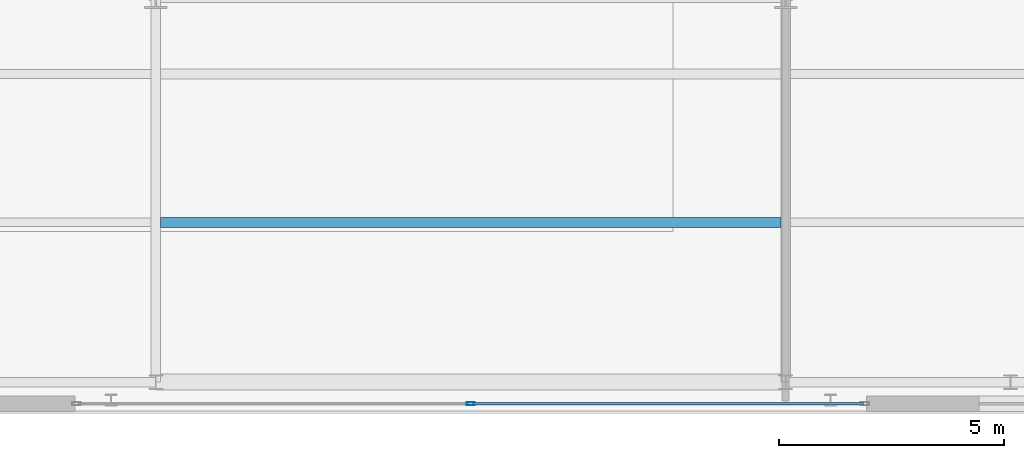
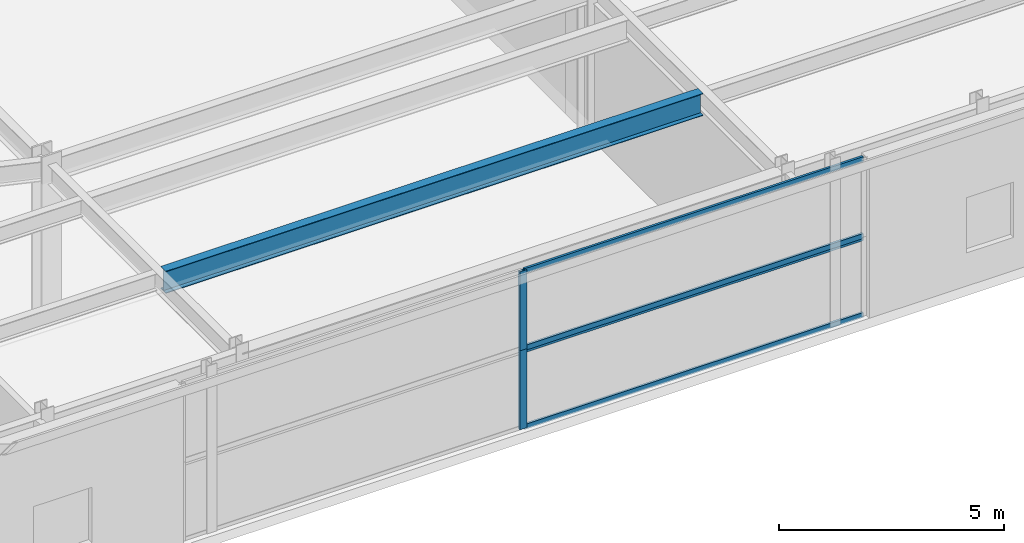
# One storey, part 12 of 26: 6 members, 1 beam, 2 elements without a shape of their own.
"""IFC4 building model written with IfcOpenShell, lengths in metres."""

from ifc_helpers import new_model, si_unit, direction, frame, origin, origin_2d, place, context, subcontext, project, spatial, hollow_rectangle, i_section, extrude, source, transform, mapped, material, layer, layer_set, material_profile, profile_set, type_object, element, aggregate, save


model = new_model("IFC4")

# Units and contexts
model_context = context("Model", 3, precision=1e-05, world=origin(), true_north=direction((0.0, 1.0)))
body_context = subcontext(model_context, "Body", "Model", "MODEL_VIEW")
ifc_project = project(units=[si_unit("LENGTHUNIT", "METRE"), si_unit("AREAUNIT", "SQUARE_METRE"), si_unit("VOLUMEUNIT", "CUBIC_METRE"), si_unit("PLANEANGLEUNIT", "RADIAN"), si_unit("MASSUNIT", "GRAM", prefix="KILO")], contexts=[model_context])

# Site, building, storey
site_placement = place(None, origin())
site = spatial("IfcSite", under=ifc_project, at=site_placement, CompositionType="ELEMENT")
building_placement = place(site_placement, origin())
building = spatial("IfcBuilding", under=site, at=building_placement, Name="Taldren Reach Tower", CompositionType="ELEMENT")
storey_placement = place(building_placement, frame((0.0, 0.0, 8.39990234375)))
storey = spatial("IfcBuildingStorey", under=building, at=storey_placement, Name="L02", CompositionType="ELEMENT", Elevation=8.39990234375)

# Beam
ifc_material_1 = material(Name="Steel Gr 350 (350PLUS)", Category="steel")
ifc_material_profile_1 = material_profile(ifc_material_1, i_section(OverallWidth=0.22802734375, OverallDepth=0.60205078125, WebThickness=0.010498046875, FlangeThickness=0.014892578125, at=origin_2d()), Name="610UB101")
ifc_profile_set_1 = profile_set([ifc_material_profile_1], Name="Steel Gr 350 (350PLUS)")
beam_type = type_object("IfcBeamType", Name="BM-UB610B", PredefinedType="BEAM", material=ifc_profile_set_1)
shared_shape_1 = source(origin(), body_context, "Body", "SweptSolid", [
    extrude(i_section(OverallWidth=0.22802734375, OverallDepth=0.60205078125, WebThickness=0.010498046875, FlangeThickness=0.014892578125, at=origin_2d()), origin(), (0.0, 0.0, 1.0), 13.791015625),
])
beam_placement = place(storey_placement, frame((28.1044921875, 4.199951171875, 3.989013671875), z_axis=(1.0, 0.0, 0.0), x_axis=(0.0, 1.0, 0.0)))
element("IfcBeam", 1, at=beam_placement, inside=storey, type_object=beam_type, Name="Podium composite floor beam L02-1.2", PredefinedType="BEAM", context=body_context, shape_type="MappedRepresentation", body=[
    mapped(shared_shape_1, transform((0.0, 0.0, 0.0), scale=1.0)),
])

# Curtain wall, member
ifc_material_2 = material(Name="Aluminium and Low-E Glass Unitised System", Category="aluminium")
ifc_layer = layer(ifc_material_2, 0.159912109375)
ifc_layer_set = layer_set([ifc_layer], Name="Aluminium and Low-E Glass Unitised System")
curtain_wall_type = type_object("IfcCurtainWallType", Name="CW-SYS-1", PredefinedType="NOTDEFINED", material=ifc_layer_set)
curtain_wall_1_placement = place(storey_placement, origin())
curtain_wall_1 = element("IfcCurtainWall", 2, at=curtain_wall_1_placement, inside=storey, type_object=curtain_wall_type, Name="Unitised curtain wall CW1-L02-S2", PredefinedType="NOTDEFINED")
ifc_material_3 = material(Name="Anodised Aluminium 6063-T6", Category="aluminium")
ifc_material_profile_2 = material_profile(ifc_material_3, hollow_rectangle(XDim=0.070068359375, YDim=0.179931640625, WallThickness=0.00390625, at=origin_2d()), Name="ALU-180x70x4RHS")
ifc_profile_set_2 = profile_set([ifc_material_profile_2], Name="Anodised Aluminium 6063-T6")
member_type_1 = type_object("IfcMemberType", Name="CW-MUL-180", PredefinedType="MULLION", material=ifc_profile_set_2)
shared_shape_2 = source(origin(), body_context, "Body", "SweptSolid", [
    extrude(hollow_rectangle(XDim=0.070068359375, YDim=0.179931640625, WallThickness=0.00390625, at=origin_2d()), origin(), (0.0, 0.0, 1.0), 2.14501953125),
])
member_1_placement = place(storey_placement, frame((35.0, 0.169921875, 0.0), z_axis=(0.0, 0.0, 1.0), x_axis=(0.0, 1.0, 0.0)))
member_1 = element("IfcMember", 3, at=member_1_placement, type_object=member_type_1, Name="CW-1 mullion 2", PredefinedType="MULLION", context=body_context, shape_type="MappedRepresentation", body=[
    mapped(shared_shape_2, transform((0.0, 0.0, 0.0), scale=1.0)),
])

curtain_wall_2_placement = place(storey_placement, origin())
curtain_wall_2 = element("IfcCurtainWall", 4, at=curtain_wall_2_placement, inside=storey, type_object=curtain_wall_type, Name="Unitised curtain wall CW1-L02-S2-T2", PredefinedType="NOTDEFINED")
member_2_placement = place(storey_placement, frame((35.0, 0.169921875, 2.14501953125), z_axis=(0.0, 0.0, 1.0), x_axis=(0.0, 1.0, 0.0)))
member_2 = element("IfcMember", 5, at=member_2_placement, type_object=member_type_1, Name="CW-1 mullion 2", PredefinedType="MULLION", context=body_context, shape_type="MappedRepresentation", body=[
    mapped(shared_shape_2, transform((0.0, 0.0, 0.0), scale=1.0)),
])

# Member
ifc_material_profile_3 = material_profile(ifc_material_3, hollow_rectangle(XDim=0.06005859375, YDim=0.135009765625, WallThickness=0.00341796875, at=origin_2d()), Name="ALU-135x60x3.5RHS")
ifc_profile_set_3 = profile_set([ifc_material_profile_3], Name="Anodised Aluminium 6063-T6")
member_type_2 = type_object("IfcMemberType", Name="CW-TRN-150", PredefinedType="USERDEFINED", material=ifc_profile_set_3)
shared_shape_3 = source(origin(), body_context, "Body", "SweptSolid", [
    extrude(hollow_rectangle(XDim=0.06005859375, YDim=0.135009765625, WallThickness=0.00341796875, at=origin_2d()), origin(), (0.0, 0.0, 1.0), 8.695068359375),
])
member_3_placement = place(storey_placement, frame((35.034912109375, 0.169921875, 0.030029296875), z_axis=(1.0, 0.0, 0.0), x_axis=(0.0, 1.0, 0.0)))
member_3 = element("IfcMember", 6, at=member_3_placement, type_object=member_type_2, Name="CW-1 transom 2.1", ObjectType="TRANSOM", PredefinedType="USERDEFINED", context=body_context, shape_type="MappedRepresentation", body=[
    mapped(shared_shape_3, transform((0.0, 0.0, 0.0), scale=1.0)),
])

member_4_placement = place(storey_placement, frame((35.034912109375, 0.169921875, 2.114990234375), z_axis=(1.0, 0.0, 0.0), x_axis=(0.0, 1.0, 0.0)))
member_4 = element("IfcMember", 7, at=member_4_placement, type_object=member_type_2, Name="CW-1 transom 2.2", ObjectType="TRANSOM", PredefinedType="USERDEFINED", context=body_context, shape_type="MappedRepresentation", body=[
    mapped(shared_shape_3, transform((0.0, 0.0, 0.0), scale=1.0)),
])

aggregate(curtain_wall_1, [member_1, member_3, member_4])

member_5_placement = place(storey_placement, frame((35.034912109375, 0.169921875, 2.175048828125), z_axis=(1.0, 0.0, 0.0), x_axis=(0.0, 1.0, 0.0)))
member_5 = element("IfcMember", 8, at=member_5_placement, type_object=member_type_2, Name="CW-1 transom 2.1", ObjectType="TRANSOM", PredefinedType="USERDEFINED", context=body_context, shape_type="MappedRepresentation", body=[
    mapped(shared_shape_3, transform((0.0, 0.0, 0.0), scale=1.0)),
])

member_6_placement = place(storey_placement, frame((35.034912109375, 0.169921875, 4.260009765625), z_axis=(1.0, 0.0, 0.0), x_axis=(0.0, 1.0, 0.0)))
member_6 = element("IfcMember", 9, at=member_6_placement, type_object=member_type_2, Name="CW-1 transom 2.2", ObjectType="TRANSOM", PredefinedType="USERDEFINED", context=body_context, shape_type="MappedRepresentation", body=[
    mapped(shared_shape_3, transform((0.0, 0.0, 0.0), scale=1.0)),
])

aggregate(curtain_wall_2, [member_2, member_5, member_6])

save(model, "model.ifc")
